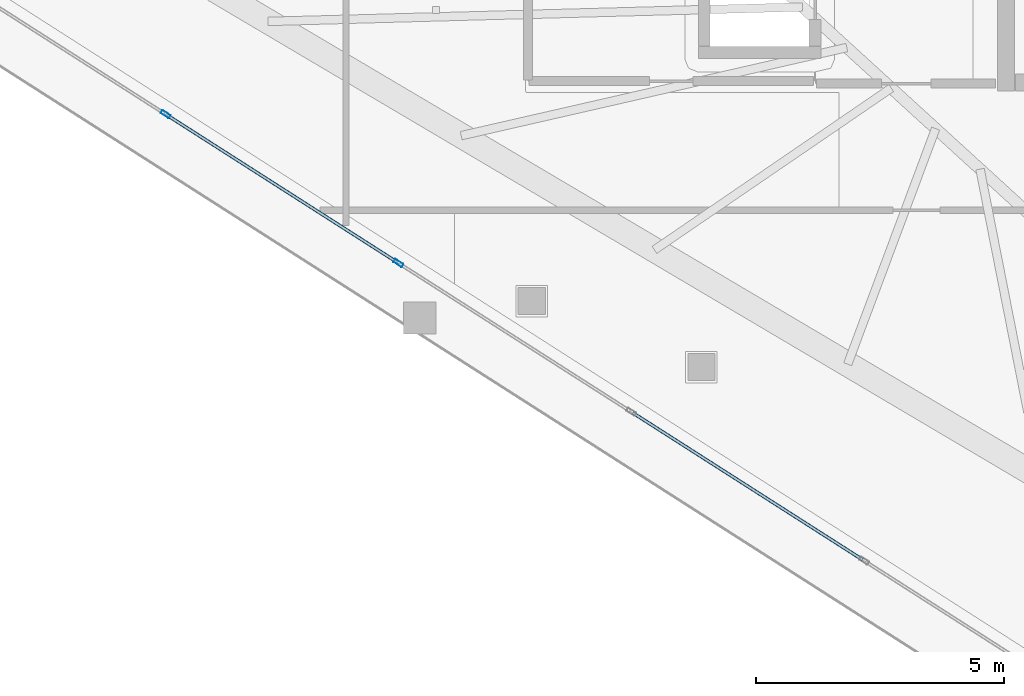
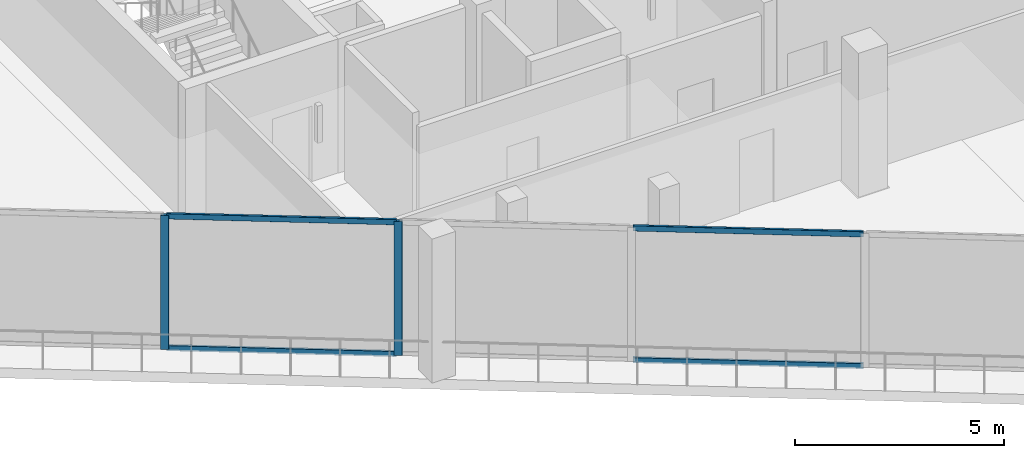
# One storey, part 2 of 34: 6 members, 1 element without a shape of its own.
"""IFC4 building model written with IfcOpenShell, lengths in metres."""

from ifc_helpers import new_model, si_unit, direction, frame, origin, origin_2d, place, context, subcontext, project, spatial, hollow_rectangle, extrude, material, layer, layer_set, material_profile, profile_set, type_object, element, aggregate, save


model = new_model("IFC4")

# Units and contexts
model_context = context("Model", 3, precision=1e-05, world=origin(), true_north=direction((0.0, 1.0)))
body_context = subcontext(model_context, "Body", "Model", "MODEL_VIEW")
ifc_project = project(units=[si_unit("LENGTHUNIT", "METRE"), si_unit("AREAUNIT", "SQUARE_METRE"), si_unit("VOLUMEUNIT", "CUBIC_METRE"), si_unit("PLANEANGLEUNIT", "RADIAN"), si_unit("MASSUNIT", "GRAM", prefix="KILO")], contexts=[model_context])

# Site, building, storey
site_placement = place(None, origin())
site = spatial("IfcSite", under=ifc_project, at=site_placement, CompositionType="ELEMENT")
building_placement = place(site_placement, origin())
building = spatial("IfcBuilding", under=site, at=building_placement, Name="Qorvath Tower", CompositionType="ELEMENT")
storey_placement = place(building_placement, frame((0.0, 0.0, 268.199951171875)))
storey = spatial("IfcBuildingStorey", under=building, at=storey_placement, Name="L62", CompositionType="ELEMENT", Elevation=268.199951171875)

# Curtain wall, members
ifc_material_1 = material(Name="Anodised aluminium and triple low-E glass", Category="aluminium")
ifc_layer = layer(ifc_material_1, 0.179931640625)
ifc_layer_set = layer_set([ifc_layer], Name="CW-SYS-4")
curtain_wall_type = type_object("IfcCurtainWallType", Name="CW-SYS-4", PredefinedType="NOTDEFINED", material=ifc_layer_set)
curtain_wall_placement = place(storey_placement, origin())
curtain_wall = element("IfcCurtainWall", 1, at=curtain_wall_placement, inside=storey, type_object=curtain_wall_type, Name="Curtain Wall CW-4 CW-T-L62-2.1", PredefinedType="NOTDEFINED")
ifc_material_2 = material(Name="Anodised aluminium 6063-T6", Category="aluminium")
ifc_material_profile_1 = material_profile(ifc_material_2, hollow_rectangle(XDim=0.074951171875, YDim=0.199951171875, WallThickness=0.00390625, InnerFilletRadius=0.00390625, OuterFilletRadius=0.008056640625, at=origin_2d()), Name="CWM 200x75")
ifc_profile_set_1 = profile_set([ifc_material_profile_1], Name="Anodised aluminium 6063-T6")
member_type_1 = type_object("IfcMemberType", Name="CWM-200", PredefinedType="MULLION", material=ifc_profile_set_1)
member_1_placement = place(storey_placement, frame((-41.5, -9.017822265625, 0.0), z_axis=(0.0, 0.0, 1.0), x_axis=(0.538533509281, 0.842604094093, 0.0)))
member_1 = element("IfcMember", 2, at=member_1_placement, type_object=member_type_1, Name="CW-4 mullion 3", PredefinedType="MULLION", context=body_context, shape_type="SweptSolid", body=[
    extrude(hollow_rectangle(XDim=0.074951171875, YDim=0.199951171875, WallThickness=0.00390625, InnerFilletRadius=0.00390625, OuterFilletRadius=0.008056640625, at=origin_2d()), origin(), (0.0, 0.0, 1.0), 3.91015625),
])
member_2_placement = place(storey_placement, frame((-36.796630859375, -12.023681640625, 0.0), z_axis=(0.0, 0.0, 1.0), x_axis=(0.538533509281, 0.842604094093, 0.0)))
member_2 = element("IfcMember", 3, at=member_2_placement, type_object=member_type_1, Name="CW-4 mullion 4", PredefinedType="MULLION", context=body_context, shape_type="SweptSolid", body=[
    extrude(hollow_rectangle(XDim=0.074951171875, YDim=0.199951171875, WallThickness=0.00390625, InnerFilletRadius=0.00390625, OuterFilletRadius=0.008056640625, at=origin_2d()), origin(), (0.0, 0.0, 1.0), 3.91015625),
])
ifc_material_3 = material(Name="Anodised aluminium 6063-T6", Category="aluminium")
ifc_material_profile_2 = material_profile(ifc_material_3, hollow_rectangle(XDim=0.06494140625, YDim=0.159912109375, WallThickness=0.00341796875, InnerFilletRadius=0.00341796875, OuterFilletRadius=0.007080078125, at=origin_2d()), Name="CWT 160x65")
ifc_profile_set_2 = profile_set([ifc_material_profile_2], Name="Anodised aluminium 6063-T6")
member_type_2 = type_object("IfcMemberType", Name="CWT-160", PredefinedType="USERDEFINED", material=ifc_profile_set_2)
member_3_placement = place(storey_placement, frame((-41.46826171875, -9.037841796875, 0.032470703125), z_axis=(0.842597346925, -0.538544065935, 0.0), x_axis=(0.538544065935, 0.842597346925, 0.0)))
member_3 = element("IfcMember", 4, at=member_3_placement, type_object=member_type_2, Name="CW-4 transom 3.1", ObjectType="TRANSOM", PredefinedType="USERDEFINED", context=body_context, shape_type="SweptSolid", body=[
    extrude(hollow_rectangle(XDim=0.06494140625, YDim=0.159912109375, WallThickness=0.00341796875, InnerFilletRadius=0.00341796875, OuterFilletRadius=0.007080078125, at=origin_2d()), origin(), (0.0, 0.0, 1.0), 5.506591796875),
])
member_4_placement = place(storey_placement, frame((-41.46826171875, -9.037841796875, 3.877685546875), z_axis=(0.842597346925, -0.538544065935, 0.0), x_axis=(0.538544065935, 0.842597346925, 0.0)))
member_4 = element("IfcMember", 5, at=member_4_placement, type_object=member_type_2, Name="CW-4 transom 3.2", ObjectType="TRANSOM", PredefinedType="USERDEFINED", context=body_context, shape_type="SweptSolid", body=[
    extrude(hollow_rectangle(XDim=0.06494140625, YDim=0.159912109375, WallThickness=0.00341796875, InnerFilletRadius=0.00341796875, OuterFilletRadius=0.007080078125, at=origin_2d()), origin(), (0.0, 0.0, 1.0), 5.506591796875),
])
member_5_placement = place(storey_placement, frame((-32.06201171875, -15.0498046875, 0.032470703125), z_axis=(0.842597346925, -0.538544065935, 0.0), x_axis=(0.538544065935, 0.842597346925, 0.0)))
member_5 = element("IfcMember", 6, at=member_5_placement, type_object=member_type_2, Name="CW-4 transom 5.1", ObjectType="TRANSOM", PredefinedType="USERDEFINED", context=body_context, shape_type="SweptSolid", body=[
    extrude(hollow_rectangle(XDim=0.06494140625, YDim=0.159912109375, WallThickness=0.00341796875, InnerFilletRadius=0.00341796875, OuterFilletRadius=0.007080078125, at=origin_2d()), origin(), (0.0, 0.0, 1.0), 5.506591796875),
])
member_6_placement = place(storey_placement, frame((-32.06201171875, -15.0498046875, 3.877685546875), z_axis=(0.842597346925, -0.538544065935, 0.0), x_axis=(0.538544065935, 0.842597346925, 0.0)))
member_6 = element("IfcMember", 7, at=member_6_placement, type_object=member_type_2, Name="CW-4 transom 5.2", ObjectType="TRANSOM", PredefinedType="USERDEFINED", context=body_context, shape_type="SweptSolid", body=[
    extrude(hollow_rectangle(XDim=0.06494140625, YDim=0.159912109375, WallThickness=0.00341796875, InnerFilletRadius=0.00341796875, OuterFilletRadius=0.007080078125, at=origin_2d()), origin(), (0.0, 0.0, 1.0), 5.506591796875),
])
aggregate(curtain_wall, [member_1, member_2, member_3, member_4, member_5, member_6])

save(model, "model.ifc")
